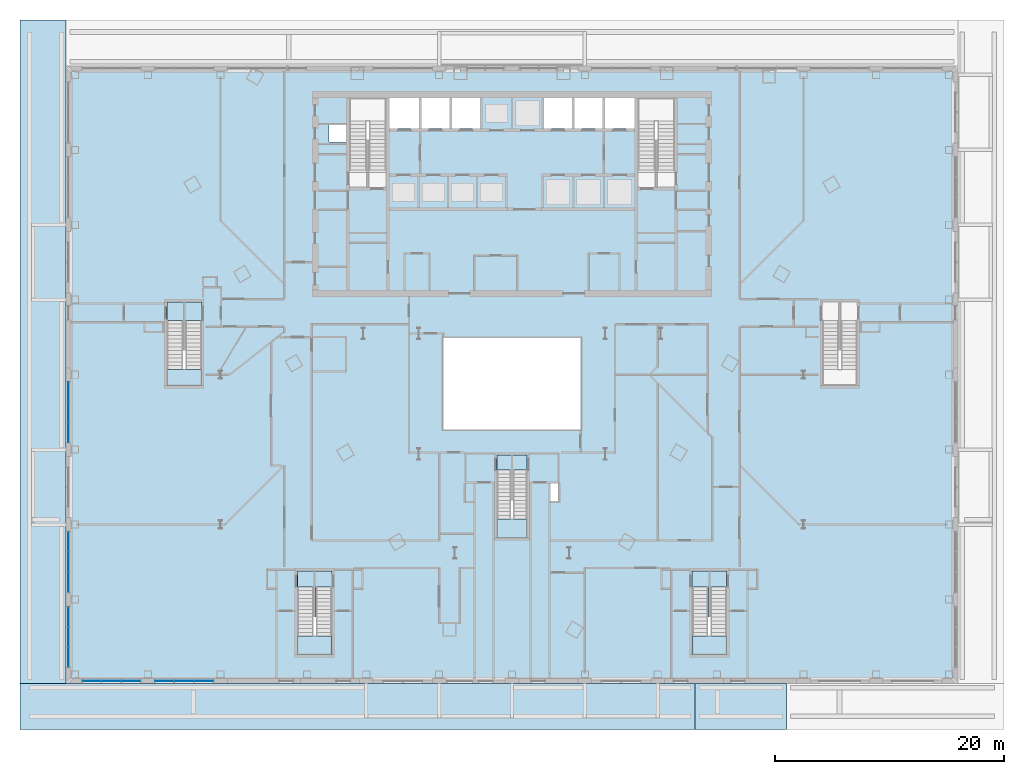
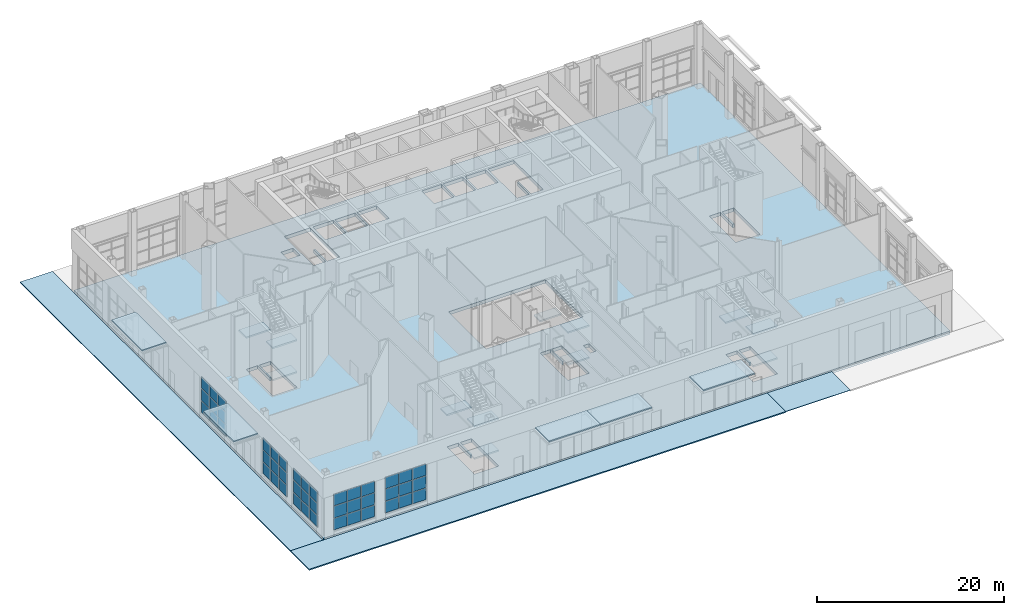
# One storey, part 13 of 34: 45 plates, 21 slabs, 9 elements without a shape of their own.
"""IFC4 building model written with IfcOpenShell, lengths in metres."""

from ifc_helpers import new_model, si_unit, direction, frame, origin, origin_2d, place, context, subcontext, project, spatial, polyline, rectangle, outline, extrude, material, layer, layer_set, type_object, element, aggregate, save


model = new_model("IFC4")

# Units and contexts
model_context = context("Model", 3, precision=1e-05, world=origin(), true_north=direction((0.0, 1.0)))
body_context = subcontext(model_context, "Body", "Model", "MODEL_VIEW")
ifc_project = project(units=[si_unit("LENGTHUNIT", "METRE"), si_unit("AREAUNIT", "SQUARE_METRE"), si_unit("VOLUMEUNIT", "CUBIC_METRE"), si_unit("PLANEANGLEUNIT", "RADIAN"), si_unit("MASSUNIT", "GRAM", prefix="KILO")], contexts=[model_context])

# Site, building, storey
site_placement = place(None, origin())
site = spatial("IfcSite", under=ifc_project, at=site_placement, CompositionType="ELEMENT")
building_placement = place(site_placement, origin())
building = spatial("IfcBuilding", under=site, at=building_placement, Name="Njiva Tower", CompositionType="ELEMENT")
storey_placement = place(building_placement, origin())
storey = spatial("IfcBuildingStorey", under=building, at=storey_placement, Name="L00", CompositionType="ELEMENT", Elevation=0.0)

# Curtain wall, plates
ifc_material_1 = material(Name="Glazed curtain wall", Category="glass")
ifc_layer_1 = layer(ifc_material_1, 0.2)
ifc_layer_set_1 = layer_set([ifc_layer_1], Name="Glazed curtain wall")
curtain_wall_type = type_object("IfcCurtainWallType", Name="CW1 Shopfront glazing", PredefinedType="NOTDEFINED", material=ifc_layer_set_1)
curtain_wall_1_placement = place(storey_placement, origin())
curtain_wall_1 = element("IfcCurtainWall", 1, at=curtain_wall_1_placement, inside=storey, type_object=curtain_wall_type, Name="Shopfront W5", PredefinedType="NOTDEFINED")
ifc_material_2 = material(Name="Clear double glazing", Category="glass")
ifc_layer_2 = layer(ifc_material_2, 0.028)
ifc_layer_set_2 = layer_set([ifc_layer_2], Name="Clear double glazing")
plate_type = type_object("IfcPlateType", Name="CW1-P Shopfront glass panel 28", PredefinedType="CURTAIN_PANEL", material=ifc_layer_set_2)
plate_1_placement = place(storey_placement, frame((-38.775, -8.3079, 0.6649), z_axis=(0.0, 0.0, 1.0), x_axis=(0.0, -1.0, 0.0)))
plate_1 = element("IfcPlate", 2, at=plate_1_placement, type_object=plate_type, Name="CW1-W5 panel 1.1", PredefinedType="CURTAIN_PANEL", context=body_context, shape_type="SweptSolid", body=[
    extrude(rectangle(XDim=1.6858, YDim=0.028, at=origin_2d()), origin(), (0.0, 0.0, 1.0), 1.5025),
])
plate_2_placement = place(storey_placement, frame((-38.775, -8.3079, 2.2325), z_axis=(0.0, 0.0, 1.0), x_axis=(0.0, -1.0, 0.0)))
plate_2 = element("IfcPlate", 3, at=plate_2_placement, type_object=plate_type, Name="CW1-W5 panel 1.2", PredefinedType="CURTAIN_PANEL", context=body_context, shape_type="SweptSolid", body=[
    extrude(rectangle(XDim=1.6858, YDim=0.028, at=origin_2d()), origin(), (0.0, 0.0, 1.0), 1.535),
])
plate_3_placement = place(storey_placement, frame((-38.775, -8.3079, 3.8326), z_axis=(0.0, 0.0, 1.0), x_axis=(0.0, -1.0, 0.0)))
plate_3 = element("IfcPlate", 4, at=plate_3_placement, type_object=plate_type, Name="CW1-W5 panel 1.3", PredefinedType="CURTAIN_PANEL", context=body_context, shape_type="SweptSolid", body=[
    extrude(rectangle(XDim=1.6858, YDim=0.028, at=origin_2d()), origin(), (0.0, 0.0, 1.0), 1.5025),
])
plate_4_placement = place(storey_placement, frame((-38.775, -10.075, 0.6649), z_axis=(0.0, 0.0, 1.0), x_axis=(0.0, -1.0, 0.0)))
plate_4 = element("IfcPlate", 5, at=plate_4_placement, type_object=plate_type, Name="CW1-W5 panel 2.1", PredefinedType="CURTAIN_PANEL", context=body_context, shape_type="SweptSolid", body=[
    extrude(rectangle(XDim=1.7183, YDim=0.028, at=origin_2d()), origin(), (0.0, 0.0, 1.0), 1.5025),
])
plate_5_placement = place(storey_placement, frame((-38.775, -10.075, 2.2325), z_axis=(0.0, 0.0, 1.0), x_axis=(0.0, -1.0, 0.0)))
plate_5 = element("IfcPlate", 6, at=plate_5_placement, type_object=plate_type, Name="CW1-W5 panel 2.2", PredefinedType="CURTAIN_PANEL", context=body_context, shape_type="SweptSolid", body=[
    extrude(rectangle(XDim=1.7183, YDim=0.028, at=origin_2d()), origin(), (0.0, 0.0, 1.0), 1.535),
])
plate_6_placement = place(storey_placement, frame((-38.775, -10.075, 3.8326), z_axis=(0.0, 0.0, 1.0), x_axis=(0.0, -1.0, 0.0)))
plate_6 = element("IfcPlate", 7, at=plate_6_placement, type_object=plate_type, Name="CW1-W5 panel 2.3", PredefinedType="CURTAIN_PANEL", context=body_context, shape_type="SweptSolid", body=[
    extrude(rectangle(XDim=1.7183, YDim=0.028, at=origin_2d()), origin(), (0.0, 0.0, 1.0), 1.5025),
])
plate_7_placement = place(storey_placement, frame((-38.775, -11.8421, 0.6649), z_axis=(0.0, 0.0, 1.0), x_axis=(0.0, -1.0, 0.0)))
plate_7 = element("IfcPlate", 8, at=plate_7_placement, type_object=plate_type, Name="CW1-W5 panel 3.1", PredefinedType="CURTAIN_PANEL", context=body_context, shape_type="SweptSolid", body=[
    extrude(rectangle(XDim=1.6858, YDim=0.028, at=origin_2d()), origin(), (0.0, 0.0, 1.0), 1.5025),
])
plate_8_placement = place(storey_placement, frame((-38.775, -11.8421, 2.2325), z_axis=(0.0, 0.0, 1.0), x_axis=(0.0, -1.0, 0.0)))
plate_8 = element("IfcPlate", 9, at=plate_8_placement, type_object=plate_type, Name="CW1-W5 panel 3.2", PredefinedType="CURTAIN_PANEL", context=body_context, shape_type="SweptSolid", body=[
    extrude(rectangle(XDim=1.6858, YDim=0.028, at=origin_2d()), origin(), (0.0, 0.0, 1.0), 1.535),
])
plate_9_placement = place(storey_placement, frame((-38.775, -11.8421, 3.8326), z_axis=(0.0, 0.0, 1.0), x_axis=(0.0, -1.0, 0.0)))
plate_9 = element("IfcPlate", 10, at=plate_9_placement, type_object=plate_type, Name="CW1-W5 panel 3.3", PredefinedType="CURTAIN_PANEL", context=body_context, shape_type="SweptSolid", body=[
    extrude(rectangle(XDim=1.6858, YDim=0.028, at=origin_2d()), origin(), (0.0, 0.0, 1.0), 1.5025),
])
aggregate(curtain_wall_1, [plate_1, plate_2, plate_3, plate_4, plate_5, plate_6, plate_7, plate_8, plate_9])

curtain_wall_2_placement = place(storey_placement, origin())
curtain_wall_2 = element("IfcCurtainWall", 11, at=curtain_wall_2_placement, inside=storey, type_object=curtain_wall_type, Name="Shopfront W7", PredefinedType="NOTDEFINED")
plate_10_placement = place(storey_placement, frame((-38.775, -21.4079, 0.6649), z_axis=(0.0, 0.0, 1.0), x_axis=(0.0, -1.0, 0.0)))
plate_10 = element("IfcPlate", 12, at=plate_10_placement, type_object=plate_type, Name="CW1-W7 panel 1.1", PredefinedType="CURTAIN_PANEL", context=body_context, shape_type="SweptSolid", body=[
    extrude(rectangle(XDim=1.6858, YDim=0.028, at=origin_2d()), origin(), (0.0, 0.0, 1.0), 1.5025),
])
plate_11_placement = place(storey_placement, frame((-38.775, -21.4079, 2.2325), z_axis=(0.0, 0.0, 1.0), x_axis=(0.0, -1.0, 0.0)))
plate_11 = element("IfcPlate", 13, at=plate_11_placement, type_object=plate_type, Name="CW1-W7 panel 1.2", PredefinedType="CURTAIN_PANEL", context=body_context, shape_type="SweptSolid", body=[
    extrude(rectangle(XDim=1.6858, YDim=0.028, at=origin_2d()), origin(), (0.0, 0.0, 1.0), 1.535),
])
plate_12_placement = place(storey_placement, frame((-38.775, -21.4079, 3.8326), z_axis=(0.0, 0.0, 1.0), x_axis=(0.0, -1.0, 0.0)))
plate_12 = element("IfcPlate", 14, at=plate_12_placement, type_object=plate_type, Name="CW1-W7 panel 1.3", PredefinedType="CURTAIN_PANEL", context=body_context, shape_type="SweptSolid", body=[
    extrude(rectangle(XDim=1.6858, YDim=0.028, at=origin_2d()), origin(), (0.0, 0.0, 1.0), 1.5025),
])
plate_13_placement = place(storey_placement, frame((-38.775, -23.175, 0.6649), z_axis=(0.0, 0.0, 1.0), x_axis=(0.0, -1.0, 0.0)))
plate_13 = element("IfcPlate", 15, at=plate_13_placement, type_object=plate_type, Name="CW1-W7 panel 2.1", PredefinedType="CURTAIN_PANEL", context=body_context, shape_type="SweptSolid", body=[
    extrude(rectangle(XDim=1.7183, YDim=0.028, at=origin_2d()), origin(), (0.0, 0.0, 1.0), 1.5025),
])
plate_14_placement = place(storey_placement, frame((-38.775, -23.175, 2.2325), z_axis=(0.0, 0.0, 1.0), x_axis=(0.0, -1.0, 0.0)))
plate_14 = element("IfcPlate", 16, at=plate_14_placement, type_object=plate_type, Name="CW1-W7 panel 2.2", PredefinedType="CURTAIN_PANEL", context=body_context, shape_type="SweptSolid", body=[
    extrude(rectangle(XDim=1.7183, YDim=0.028, at=origin_2d()), origin(), (0.0, 0.0, 1.0), 1.535),
])
plate_15_placement = place(storey_placement, frame((-38.775, -23.175, 3.8326), z_axis=(0.0, 0.0, 1.0), x_axis=(0.0, -1.0, 0.0)))
plate_15 = element("IfcPlate", 17, at=plate_15_placement, type_object=plate_type, Name="CW1-W7 panel 2.3", PredefinedType="CURTAIN_PANEL", context=body_context, shape_type="SweptSolid", body=[
    extrude(rectangle(XDim=1.7183, YDim=0.028, at=origin_2d()), origin(), (0.0, 0.0, 1.0), 1.5025),
])
plate_16_placement = place(storey_placement, frame((-38.775, -24.9421, 0.6649), z_axis=(0.0, 0.0, 1.0), x_axis=(0.0, -1.0, 0.0)))
plate_16 = element("IfcPlate", 18, at=plate_16_placement, type_object=plate_type, Name="CW1-W7 panel 3.1", PredefinedType="CURTAIN_PANEL", context=body_context, shape_type="SweptSolid", body=[
    extrude(rectangle(XDim=1.6858, YDim=0.028, at=origin_2d()), origin(), (0.0, 0.0, 1.0), 1.5025),
])
plate_17_placement = place(storey_placement, frame((-38.775, -24.9421, 2.2325), z_axis=(0.0, 0.0, 1.0), x_axis=(0.0, -1.0, 0.0)))
plate_17 = element("IfcPlate", 19, at=plate_17_placement, type_object=plate_type, Name="CW1-W7 panel 3.2", PredefinedType="CURTAIN_PANEL", context=body_context, shape_type="SweptSolid", body=[
    extrude(rectangle(XDim=1.6858, YDim=0.028, at=origin_2d()), origin(), (0.0, 0.0, 1.0), 1.535),
])
plate_18_placement = place(storey_placement, frame((-38.775, -24.9421, 3.8326), z_axis=(0.0, 0.0, 1.0), x_axis=(0.0, -1.0, 0.0)))
plate_18 = element("IfcPlate", 20, at=plate_18_placement, type_object=plate_type, Name="CW1-W7 panel 3.3", PredefinedType="CURTAIN_PANEL", context=body_context, shape_type="SweptSolid", body=[
    extrude(rectangle(XDim=1.6858, YDim=0.028, at=origin_2d()), origin(), (0.0, 0.0, 1.0), 1.5025),
])
aggregate(curtain_wall_2, [plate_10, plate_11, plate_12, plate_13, plate_14, plate_15, plate_16, plate_17, plate_18])

curtain_wall_3_placement = place(storey_placement, origin())
curtain_wall_3 = element("IfcCurtainWall", 21, at=curtain_wall_3_placement, inside=storey, type_object=curtain_wall_type, Name="Shopfront W8", PredefinedType="NOTDEFINED")
plate_19_placement = place(storey_placement, frame((-38.775, -27.9579, 0.6649), z_axis=(0.0, 0.0, 1.0), x_axis=(0.0, -1.0, 0.0)))
plate_19 = element("IfcPlate", 22, at=plate_19_placement, type_object=plate_type, Name="CW1-W8 panel 1.1", PredefinedType="CURTAIN_PANEL", context=body_context, shape_type="SweptSolid", body=[
    extrude(rectangle(XDim=1.6858, YDim=0.028, at=origin_2d()), origin(), (0.0, 0.0, 1.0), 1.5025),
])
plate_20_placement = place(storey_placement, frame((-38.775, -27.9579, 2.2325), z_axis=(0.0, 0.0, 1.0), x_axis=(0.0, -1.0, 0.0)))
plate_20 = element("IfcPlate", 23, at=plate_20_placement, type_object=plate_type, Name="CW1-W8 panel 1.2", PredefinedType="CURTAIN_PANEL", context=body_context, shape_type="SweptSolid", body=[
    extrude(rectangle(XDim=1.6858, YDim=0.028, at=origin_2d()), origin(), (0.0, 0.0, 1.0), 1.535),
])
plate_21_placement = place(storey_placement, frame((-38.775, -27.9579, 3.8326), z_axis=(0.0, 0.0, 1.0), x_axis=(0.0, -1.0, 0.0)))
plate_21 = element("IfcPlate", 24, at=plate_21_placement, type_object=plate_type, Name="CW1-W8 panel 1.3", PredefinedType="CURTAIN_PANEL", context=body_context, shape_type="SweptSolid", body=[
    extrude(rectangle(XDim=1.6858, YDim=0.028, at=origin_2d()), origin(), (0.0, 0.0, 1.0), 1.5025),
])
plate_22_placement = place(storey_placement, frame((-38.775, -29.725, 0.6649), z_axis=(0.0, 0.0, 1.0), x_axis=(0.0, -1.0, 0.0)))
plate_22 = element("IfcPlate", 25, at=plate_22_placement, type_object=plate_type, Name="CW1-W8 panel 2.1", PredefinedType="CURTAIN_PANEL", context=body_context, shape_type="SweptSolid", body=[
    extrude(rectangle(XDim=1.7183, YDim=0.028, at=origin_2d()), origin(), (0.0, 0.0, 1.0), 1.5025),
])
plate_23_placement = place(storey_placement, frame((-38.775, -29.725, 2.2325), z_axis=(0.0, 0.0, 1.0), x_axis=(0.0, -1.0, 0.0)))
plate_23 = element("IfcPlate", 26, at=plate_23_placement, type_object=plate_type, Name="CW1-W8 panel 2.2", PredefinedType="CURTAIN_PANEL", context=body_context, shape_type="SweptSolid", body=[
    extrude(rectangle(XDim=1.7183, YDim=0.028, at=origin_2d()), origin(), (0.0, 0.0, 1.0), 1.535),
])
plate_24_placement = place(storey_placement, frame((-38.775, -29.725, 3.8326), z_axis=(0.0, 0.0, 1.0), x_axis=(0.0, -1.0, 0.0)))
plate_24 = element("IfcPlate", 27, at=plate_24_placement, type_object=plate_type, Name="CW1-W8 panel 2.3", PredefinedType="CURTAIN_PANEL", context=body_context, shape_type="SweptSolid", body=[
    extrude(rectangle(XDim=1.7183, YDim=0.028, at=origin_2d()), origin(), (0.0, 0.0, 1.0), 1.5025),
])
plate_25_placement = place(storey_placement, frame((-38.775, -31.4921, 0.6649), z_axis=(0.0, 0.0, 1.0), x_axis=(0.0, -1.0, 0.0)))
plate_25 = element("IfcPlate", 28, at=plate_25_placement, type_object=plate_type, Name="CW1-W8 panel 3.1", PredefinedType="CURTAIN_PANEL", context=body_context, shape_type="SweptSolid", body=[
    extrude(rectangle(XDim=1.6858, YDim=0.028, at=origin_2d()), origin(), (0.0, 0.0, 1.0), 1.5025),
])
plate_26_placement = place(storey_placement, frame((-38.775, -31.4921, 2.2325), z_axis=(0.0, 0.0, 1.0), x_axis=(0.0, -1.0, 0.0)))
plate_26 = element("IfcPlate", 29, at=plate_26_placement, type_object=plate_type, Name="CW1-W8 panel 3.2", PredefinedType="CURTAIN_PANEL", context=body_context, shape_type="SweptSolid", body=[
    extrude(rectangle(XDim=1.6858, YDim=0.028, at=origin_2d()), origin(), (0.0, 0.0, 1.0), 1.535),
])
plate_27_placement = place(storey_placement, frame((-38.775, -31.4921, 3.8326), z_axis=(0.0, 0.0, 1.0), x_axis=(0.0, -1.0, 0.0)))
plate_27 = element("IfcPlate", 30, at=plate_27_placement, type_object=plate_type, Name="CW1-W8 panel 3.3", PredefinedType="CURTAIN_PANEL", context=body_context, shape_type="SweptSolid", body=[
    extrude(rectangle(XDim=1.6858, YDim=0.028, at=origin_2d()), origin(), (0.0, 0.0, 1.0), 1.5025),
])
aggregate(curtain_wall_3, [plate_19, plate_20, plate_21, plate_22, plate_23, plate_24, plate_25, plate_26, plate_27])

curtain_wall_4_placement = place(storey_placement, origin())
curtain_wall_4 = element("IfcCurtainWall", 31, at=curtain_wall_4_placement, inside=storey, type_object=curtain_wall_type, Name="Shopfront S1", PredefinedType="NOTDEFINED")
plate_28_placement = place(storey_placement, frame((-36.7226, -33.575, 0.6649), z_axis=(0.0, 0.0, 1.0), x_axis=(1.0, 0.0, 0.0)))
plate_28 = element("IfcPlate", 32, at=plate_28_placement, type_object=plate_type, Name="CW1-S1 panel 1.1", PredefinedType="CURTAIN_PANEL", context=body_context, shape_type="SweptSolid", body=[
    extrude(rectangle(XDim=1.6247, YDim=0.028, at=origin_2d()), origin(), (0.0, 0.0, 1.0), 1.5025),
])
plate_29_placement = place(storey_placement, frame((-36.7226, -33.575, 2.2325), z_axis=(0.0, 0.0, 1.0), x_axis=(1.0, 0.0, 0.0)))
plate_29 = element("IfcPlate", 33, at=plate_29_placement, type_object=plate_type, Name="CW1-S1 panel 1.2", PredefinedType="CURTAIN_PANEL", context=body_context, shape_type="SweptSolid", body=[
    extrude(rectangle(XDim=1.6247, YDim=0.028, at=origin_2d()), origin(), (0.0, 0.0, 1.0), 1.535),
])
plate_30_placement = place(storey_placement, frame((-36.7226, -33.575, 3.8326), z_axis=(0.0, 0.0, 1.0), x_axis=(1.0, 0.0, 0.0)))
plate_30 = element("IfcPlate", 34, at=plate_30_placement, type_object=plate_type, Name="CW1-S1 panel 1.3", PredefinedType="CURTAIN_PANEL", context=body_context, shape_type="SweptSolid", body=[
    extrude(rectangle(XDim=1.6247, YDim=0.028, at=origin_2d()), origin(), (0.0, 0.0, 1.0), 1.5025),
])
plate_31_placement = place(storey_placement, frame((-35.0166, -33.575, 0.6649), z_axis=(0.0, 0.0, 1.0), x_axis=(1.0, 0.0, 0.0)))
plate_31 = element("IfcPlate", 35, at=plate_31_placement, type_object=plate_type, Name="CW1-S1 panel 2.1", PredefinedType="CURTAIN_PANEL", context=body_context, shape_type="SweptSolid", body=[
    extrude(rectangle(XDim=1.6572, YDim=0.028, at=origin_2d()), origin(), (0.0, 0.0, 1.0), 1.5025),
])
plate_32_placement = place(storey_placement, frame((-35.0166, -33.575, 2.2325), z_axis=(0.0, 0.0, 1.0), x_axis=(1.0, 0.0, 0.0)))
plate_32 = element("IfcPlate", 36, at=plate_32_placement, type_object=plate_type, Name="CW1-S1 panel 2.2", PredefinedType="CURTAIN_PANEL", context=body_context, shape_type="SweptSolid", body=[
    extrude(rectangle(XDim=1.6572, YDim=0.028, at=origin_2d()), origin(), (0.0, 0.0, 1.0), 1.535),
])
plate_33_placement = place(storey_placement, frame((-35.0166, -33.575, 3.8326), z_axis=(0.0, 0.0, 1.0), x_axis=(1.0, 0.0, 0.0)))
plate_33 = element("IfcPlate", 37, at=plate_33_placement, type_object=plate_type, Name="CW1-S1 panel 2.3", PredefinedType="CURTAIN_PANEL", context=body_context, shape_type="SweptSolid", body=[
    extrude(rectangle(XDim=1.6572, YDim=0.028, at=origin_2d()), origin(), (0.0, 0.0, 1.0), 1.5025),
])
plate_34_placement = place(storey_placement, frame((-33.3107, -33.575, 0.6649), z_axis=(0.0, 0.0, 1.0), x_axis=(1.0, 0.0, 0.0)))
plate_34 = element("IfcPlate", 38, at=plate_34_placement, type_object=plate_type, Name="CW1-S1 panel 3.1", PredefinedType="CURTAIN_PANEL", context=body_context, shape_type="SweptSolid", body=[
    extrude(rectangle(XDim=1.6247, YDim=0.028, at=origin_2d()), origin(), (0.0, 0.0, 1.0), 1.5025),
])
plate_35_placement = place(storey_placement, frame((-33.3107, -33.575, 2.2325), z_axis=(0.0, 0.0, 1.0), x_axis=(1.0, 0.0, 0.0)))
plate_35 = element("IfcPlate", 39, at=plate_35_placement, type_object=plate_type, Name="CW1-S1 panel 3.2", PredefinedType="CURTAIN_PANEL", context=body_context, shape_type="SweptSolid", body=[
    extrude(rectangle(XDim=1.6247, YDim=0.028, at=origin_2d()), origin(), (0.0, 0.0, 1.0), 1.535),
])
plate_36_placement = place(storey_placement, frame((-33.3107, -33.575, 3.8326), z_axis=(0.0, 0.0, 1.0), x_axis=(1.0, 0.0, 0.0)))
plate_36 = element("IfcPlate", 40, at=plate_36_placement, type_object=plate_type, Name="CW1-S1 panel 3.3", PredefinedType="CURTAIN_PANEL", context=body_context, shape_type="SweptSolid", body=[
    extrude(rectangle(XDim=1.6247, YDim=0.028, at=origin_2d()), origin(), (0.0, 0.0, 1.0), 1.5025),
])
aggregate(curtain_wall_4, [plate_28, plate_29, plate_30, plate_31, plate_32, plate_33, plate_34, plate_35, plate_36])

curtain_wall_5_placement = place(storey_placement, origin())
curtain_wall_5 = element("IfcCurtainWall", 41, at=curtain_wall_5_placement, inside=storey, type_object=curtain_wall_type, Name="Shopfront S2", PredefinedType="NOTDEFINED")
plate_37_placement = place(storey_placement, frame((-30.356, -33.575, 0.6649), z_axis=(0.0, 0.0, 1.0), x_axis=(1.0, 0.0, 0.0)))
plate_37 = element("IfcPlate", 42, at=plate_37_placement, type_object=plate_type, Name="CW1-S2 panel 1.1", PredefinedType="CURTAIN_PANEL", context=body_context, shape_type="SweptSolid", body=[
    extrude(rectangle(XDim=1.6247, YDim=0.028, at=origin_2d()), origin(), (0.0, 0.0, 1.0), 1.5025),
])
plate_38_placement = place(storey_placement, frame((-30.356, -33.575, 2.2325), z_axis=(0.0, 0.0, 1.0), x_axis=(1.0, 0.0, 0.0)))
plate_38 = element("IfcPlate", 43, at=plate_38_placement, type_object=plate_type, Name="CW1-S2 panel 1.2", PredefinedType="CURTAIN_PANEL", context=body_context, shape_type="SweptSolid", body=[
    extrude(rectangle(XDim=1.6247, YDim=0.028, at=origin_2d()), origin(), (0.0, 0.0, 1.0), 1.535),
])
plate_39_placement = place(storey_placement, frame((-30.356, -33.575, 3.8326), z_axis=(0.0, 0.0, 1.0), x_axis=(1.0, 0.0, 0.0)))
plate_39 = element("IfcPlate", 44, at=plate_39_placement, type_object=plate_type, Name="CW1-S2 panel 1.3", PredefinedType="CURTAIN_PANEL", context=body_context, shape_type="SweptSolid", body=[
    extrude(rectangle(XDim=1.6247, YDim=0.028, at=origin_2d()), origin(), (0.0, 0.0, 1.0), 1.5025),
])
plate_40_placement = place(storey_placement, frame((-28.65, -33.575, 0.6649), z_axis=(0.0, 0.0, 1.0), x_axis=(1.0, 0.0, 0.0)))
plate_40 = element("IfcPlate", 45, at=plate_40_placement, type_object=plate_type, Name="CW1-S2 panel 2.1", PredefinedType="CURTAIN_PANEL", context=body_context, shape_type="SweptSolid", body=[
    extrude(rectangle(XDim=1.6572, YDim=0.028, at=origin_2d()), origin(), (0.0, 0.0, 1.0), 1.5025),
])
plate_41_placement = place(storey_placement, frame((-28.65, -33.575, 2.2325), z_axis=(0.0, 0.0, 1.0), x_axis=(1.0, 0.0, 0.0)))
plate_41 = element("IfcPlate", 46, at=plate_41_placement, type_object=plate_type, Name="CW1-S2 panel 2.2", PredefinedType="CURTAIN_PANEL", context=body_context, shape_type="SweptSolid", body=[
    extrude(rectangle(XDim=1.6572, YDim=0.028, at=origin_2d()), origin(), (0.0, 0.0, 1.0), 1.535),
])
plate_42_placement = place(storey_placement, frame((-28.65, -33.575, 3.8326), z_axis=(0.0, 0.0, 1.0), x_axis=(1.0, 0.0, 0.0)))
plate_42 = element("IfcPlate", 47, at=plate_42_placement, type_object=plate_type, Name="CW1-S2 panel 2.3", PredefinedType="CURTAIN_PANEL", context=body_context, shape_type="SweptSolid", body=[
    extrude(rectangle(XDim=1.6572, YDim=0.028, at=origin_2d()), origin(), (0.0, 0.0, 1.0), 1.5025),
])
plate_43_placement = place(storey_placement, frame((-26.944, -33.575, 0.6649), z_axis=(0.0, 0.0, 1.0), x_axis=(1.0, 0.0, 0.0)))
plate_43 = element("IfcPlate", 48, at=plate_43_placement, type_object=plate_type, Name="CW1-S2 panel 3.1", PredefinedType="CURTAIN_PANEL", context=body_context, shape_type="SweptSolid", body=[
    extrude(rectangle(XDim=1.6247, YDim=0.028, at=origin_2d()), origin(), (0.0, 0.0, 1.0), 1.5025),
])
plate_44_placement = place(storey_placement, frame((-26.944, -33.575, 2.2325), z_axis=(0.0, 0.0, 1.0), x_axis=(1.0, 0.0, 0.0)))
plate_44 = element("IfcPlate", 49, at=plate_44_placement, type_object=plate_type, Name="CW1-S2 panel 3.2", PredefinedType="CURTAIN_PANEL", context=body_context, shape_type="SweptSolid", body=[
    extrude(rectangle(XDim=1.6247, YDim=0.028, at=origin_2d()), origin(), (0.0, 0.0, 1.0), 1.535),
])
plate_45_placement = place(storey_placement, frame((-26.944, -33.575, 3.8326), z_axis=(0.0, 0.0, 1.0), x_axis=(1.0, 0.0, 0.0)))
plate_45 = element("IfcPlate", 50, at=plate_45_placement, type_object=plate_type, Name="CW1-S2 panel 3.3", PredefinedType="CURTAIN_PANEL", context=body_context, shape_type="SweptSolid", body=[
    extrude(rectangle(XDim=1.6247, YDim=0.028, at=origin_2d()), origin(), (0.0, 0.0, 1.0), 1.5025),
])
aggregate(curtain_wall_5, [plate_37, plate_38, plate_39, plate_40, plate_41, plate_42, plate_43, plate_44, plate_45])

# Stair, slabs
ifc_material_3 = material(Name="Concrete C40/50", Category="concrete")
stair_type_1 = type_object("IfcStairType", Name="ST1 Exit stair 1250", PredefinedType="HALF_TURN_STAIR", material=ifc_material_3)
stair_1_placement = place(storey_placement, origin())
stair_1 = element("IfcStair", 51, at=stair_1_placement, inside=storey, type_object=stair_type_1, Name="Stair C", PredefinedType="DOUBLE_RETURN_STAIR")
ifc_layer_3 = layer(ifc_material_3, 0.2)
ifc_layer_set_3 = layer_set([ifc_layer_3], Name="Concrete C40/50")
slab_type_1 = type_object("IfcSlabType", Name="FL9 Stair landing 200", PredefinedType="LANDING", material=ifc_layer_set_3)
slab_1_placement = place(storey_placement, frame((0.0, 0.0, 1.9)))
slab_1 = element("IfcSlab", 52, at=slab_1_placement, type_object=slab_type_1, Name="ST-C landing 1", PredefinedType="LANDING", context=body_context, shape_type="SweptSolid", body=[
    extrude(outline(polyline([(-1.331, -21.075), (1.331, -21.075), (1.331, -19.425), (-1.331, -19.425), (-1.331, -21.075)])), origin(), (0.0, 0.0, 1.0), 0.2),
])
slab_2_placement = place(storey_placement, frame((0.0, 0.0, 4.0)))
slab_2 = element("IfcSlab", 53, at=slab_2_placement, type_object=slab_type_1, Name="ST-C landing 2", PredefinedType="LANDING", context=body_context, shape_type="SweptSolid", body=[
    extrude(outline(polyline([(-1.331, -15.135), (1.331, -15.135), (1.331, -13.825), (-1.331, -13.825), (-1.331, -15.135)])), origin(), (0.0, 0.0, 1.0), 0.2),
])
slab_3_placement = place(storey_placement, frame((0.0, 0.0, 6.1)))
slab_3 = element("IfcSlab", 54, at=slab_3_placement, type_object=slab_type_1, Name="ST-C landing 3", PredefinedType="LANDING", context=body_context, shape_type="SweptSolid", body=[
    extrude(outline(polyline([(-1.331, -21.075), (1.331, -21.075), (1.331, -19.425), (-1.331, -19.425), (-1.331, -21.075)])), origin(), (0.0, 0.0, 1.0), 0.2),
])
aggregate(stair_1, [slab_1, slab_2, slab_3])

stair_type_2 = type_object("IfcStairType", Name="ST2 Exit stair 1400", PredefinedType="HALF_TURN_STAIR", material=ifc_material_3)
stair_2_placement = place(storey_placement, origin())
stair_2 = element("IfcStair", 55, at=stair_2_placement, inside=storey, type_object=stair_type_2, Name="Stair D", PredefinedType="DOUBLE_RETURN_STAIR")
slab_4_placement = place(storey_placement, frame((0.0, 0.0, 1.9)))
slab_4 = element("IfcSlab", 56, at=slab_4_placement, type_object=slab_type_1, Name="ST-D landing 1", PredefinedType="LANDING", context=body_context, shape_type="SweptSolid", body=[
    extrude(outline(polyline([(-18.756, -31.25), (-15.744, -31.25), (-15.744, -29.64), (-18.756, -29.64), (-18.756, -31.25)])), origin(), (0.0, 0.0, 1.0), 0.2),
])
slab_5_placement = place(storey_placement, frame((0.0, 0.0, 4.0)))
slab_5 = element("IfcSlab", 57, at=slab_5_placement, type_object=slab_type_1, Name="ST-D landing 2", PredefinedType="LANDING", context=body_context, shape_type="SweptSolid", body=[
    extrude(outline(polyline([(-18.756, -25.35), (-15.744, -25.35), (-15.744, -23.95), (-18.756, -23.95), (-18.756, -25.35)])), origin(), (0.0, 0.0, 1.0), 0.2),
])
slab_6_placement = place(storey_placement, frame((0.0, 0.0, 6.1)))
slab_6 = element("IfcSlab", 58, at=slab_6_placement, type_object=slab_type_1, Name="ST-D landing 3", PredefinedType="LANDING", context=body_context, shape_type="SweptSolid", body=[
    extrude(outline(polyline([(-18.756, -31.25), (-15.744, -31.25), (-15.744, -29.64), (-18.756, -29.64), (-18.756, -31.25)])), origin(), (0.0, 0.0, 1.0), 0.2),
])
aggregate(stair_2, [slab_4, slab_5, slab_6])

stair_3_placement = place(storey_placement, origin())
stair_3 = element("IfcStair", 59, at=stair_3_placement, inside=storey, type_object=stair_type_2, Name="Stair E", PredefinedType="DOUBLE_RETURN_STAIR")
slab_7_placement = place(storey_placement, frame((0.0, 0.0, 1.9)))
slab_7 = element("IfcSlab", 60, at=slab_7_placement, type_object=slab_type_1, Name="ST-E landing 1", PredefinedType="LANDING", context=body_context, shape_type="SweptSolid", body=[
    extrude(outline(polyline([(15.744, -31.25), (18.756, -31.25), (18.756, -29.64), (15.744, -29.64), (15.744, -31.25)])), origin(), (0.0, 0.0, 1.0), 0.2),
])
slab_8_placement = place(storey_placement, frame((0.0, 0.0, 4.0)))
slab_8 = element("IfcSlab", 61, at=slab_8_placement, type_object=slab_type_1, Name="ST-E landing 2", PredefinedType="LANDING", context=body_context, shape_type="SweptSolid", body=[
    extrude(outline(polyline([(15.744, -25.35), (18.756, -25.35), (18.756, -23.95), (15.744, -23.95), (15.744, -25.35)])), origin(), (0.0, 0.0, 1.0), 0.2),
])
slab_9_placement = place(storey_placement, frame((0.0, 0.0, 6.1)))
slab_9 = element("IfcSlab", 62, at=slab_9_placement, type_object=slab_type_1, Name="ST-E landing 3", PredefinedType="LANDING", context=body_context, shape_type="SweptSolid", body=[
    extrude(outline(polyline([(15.744, -31.25), (18.756, -31.25), (18.756, -29.64), (15.744, -29.64), (15.744, -31.25)])), origin(), (0.0, 0.0, 1.0), 0.2),
])
aggregate(stair_3, [slab_7, slab_8, slab_9])

stair_4_placement = place(storey_placement, origin())
stair_4 = element("IfcStair", 63, at=stair_4_placement, inside=storey, type_object=stair_type_2, Name="Stair F", PredefinedType="DOUBLE_RETURN_STAIR")
slab_10_placement = place(storey_placement, frame((0.0, 0.0, 1.9)))
slab_10 = element("IfcSlab", 64, at=slab_10_placement, type_object=slab_type_1, Name="ST-F landing 1", PredefinedType="LANDING", context=body_context, shape_type="SweptSolid", body=[
    extrude(outline(polyline([(-30.156, -7.75), (-27.144, -7.75), (-27.144, -6.34), (-30.156, -6.34), (-30.156, -7.75)])), origin(), (0.0, 0.0, 1.0), 0.2),
])
slab_11_placement = place(storey_placement, frame((0.0, 0.0, 4.0)))
slab_11 = element("IfcSlab", 65, at=slab_11_placement, type_object=slab_type_1, Name="ST-F landing 2", PredefinedType="LANDING", context=body_context, shape_type="SweptSolid", body=[
    extrude(outline(polyline([(-30.156, -2.05), (-27.144, -2.05), (-27.144, -0.45), (-30.156, -0.45), (-30.156, -2.05)])), origin(), (0.0, 0.0, 1.0), 0.2),
])
slab_12_placement = place(storey_placement, frame((0.0, 0.0, 6.1)))
slab_12 = element("IfcSlab", 66, at=slab_12_placement, type_object=slab_type_1, Name="ST-F landing 3", PredefinedType="LANDING", context=body_context, shape_type="SweptSolid", body=[
    extrude(outline(polyline([(-30.156, -7.75), (-27.144, -7.75), (-27.144, -6.34), (-30.156, -6.34), (-30.156, -7.75)])), origin(), (0.0, 0.0, 1.0), 0.2),
])
aggregate(stair_4, [slab_10, slab_11, slab_12])

# Slabs
ifc_layer_4 = layer(ifc_material_3, 0.45)
ifc_layer_set_4 = layer_set([ifc_layer_4], Name="Concrete C40/50")
slab_type_2 = type_object("IfcSlabType", Name="SL11 Concrete flat plate 450", PredefinedType="FLOOR", material=ifc_layer_set_4)
slab_13_placement = place(storey_placement, frame((0.0, 0.0, -0.45)))
element("IfcSlab", 67, at=slab_13_placement, inside=storey, type_object=slab_type_2, Name="Floor slab L00", PredefinedType="FLOOR", context=body_context, shape_type="SweptSolid", body=[
    extrude(outline(polyline([(-38.775, -33.575), (-38.775, 19.975), (38.775, 19.975), (38.775, -33.575), (-38.775, -33.575)]), holes=[polyline([(28.55, -4.67), (28.55, -2.08), (27.144, -2.08), (27.144, -4.67), (27.144, -7.75), (28.55, -7.75), (28.75, -7.75), (30.156, -7.75), (30.156, -4.67), (30.156, -2.08), (28.75, -2.08), (28.75, -4.67), (28.55, -4.67)]), polyline([(17.15, -27.97), (17.15, -25.38), (15.744, -25.38), (15.744, -27.97), (15.744, -31.25), (17.15, -31.25), (17.35, -31.25), (18.756, -31.25), (18.756, -27.97), (18.756, -25.38), (17.35, -25.38), (17.35, -27.97), (17.15, -27.97)]), polyline([(12.5, 17.4), (10.994, 17.4), (10.994, 13.72), (10.994, 11.13), (12.5, 11.13), (12.5, 13.72), (12.7, 13.72), (12.7, 11.13), (14.206, 11.13), (14.206, 13.72), (14.206, 17.4), (12.7, 17.4), (12.5, 17.4)]), polyline([(8.125, 14.7), (10.7, 14.7), (10.7, 17.4), (8.125, 17.4), (8.125, 14.7)]), polyline([(5.45, 14.7), (7.925, 14.7), (7.925, 17.4), (5.45, 17.4), (5.45, 14.7)]), polyline([(6.0, -11.6), (6.0, -3.6), (-6.0, -3.6), (-6.0, -11.6), (6.0, -11.6)]), polyline([(2.775, 14.7), (5.25, 14.7), (5.25, 17.4), (2.775, 17.4), (2.775, 14.7)]), polyline([(3.35, -17.85), (4.05, -17.85), (4.05, -16.3), (3.35, -16.3), (3.35, -17.85)]), polyline([(-0.075, -17.755), (-0.075, -15.165), (-1.331, -15.165), (-1.331, -17.755), (-1.331, -21.075), (-0.075, -21.075), (0.075, -21.075), (1.331, -21.075), (1.331, -17.755), (1.331, -15.165), (0.075, -15.165), (0.075, -17.755), (-0.075, -17.755)]), polyline([(-5.25, 14.7), (-2.775, 14.7), (-2.775, 17.4), (-5.25, 17.4), (-5.25, 14.7)]), polyline([(-7.925, 14.7), (-5.45, 14.7), (-5.45, 17.4), (-7.925, 17.4), (-7.925, 14.7)]), polyline([(-10.7, 14.7), (-8.125, 14.7), (-8.125, 17.4), (-10.7, 17.4), (-10.7, 14.7)]), polyline([(-12.7, 17.4), (-14.206, 17.4), (-14.206, 13.72), (-14.206, 11.13), (-12.7, 11.13), (-12.7, 13.72), (-12.5, 13.72), (-12.5, 11.13), (-10.994, 11.13), (-10.994, 13.72), (-10.994, 17.4), (-12.5, 17.4), (-12.7, 17.4)]), polyline([(-14.5, 15.025), (-16.0, 15.025), (-16.0, 13.525), (-14.5, 13.525), (-14.5, 15.025)]), polyline([(-17.35, -27.97), (-17.35, -25.38), (-18.756, -25.38), (-18.756, -27.97), (-18.756, -31.25), (-17.35, -31.25), (-17.15, -31.25), (-15.744, -31.25), (-15.744, -27.97), (-15.744, -25.38), (-17.15, -25.38), (-17.15, -27.97), (-17.35, -27.97)]), polyline([(-28.75, -4.67), (-28.75, -2.08), (-30.156, -2.08), (-30.156, -4.67), (-30.156, -7.75), (-28.75, -7.75), (-28.55, -7.75), (-27.144, -7.75), (-27.144, -4.67), (-27.144, -2.08), (-28.55, -2.08), (-28.55, -4.67), (-28.75, -4.67)])]), origin(), (0.0, 0.0, 1.0), 0.45),
])
ifc_material_4 = material(Name="Granite paving", Category="masonry")
ifc_layer_5 = layer(ifc_material_4, 0.15)
ifc_layer_set_5 = layer_set([ifc_layer_5], Name="Granite paving")
slab_type_3 = type_object("IfcSlabType", Name="SL91 Forecourt paving 150", PredefinedType="USERDEFINED", material=ifc_layer_set_5)
slab_14_placement = place(storey_placement, frame((0.0, 0.0, -0.15)))
element("IfcSlab", 68, at=slab_14_placement, inside=storey, type_object=slab_type_3, Name="Station forecourt paving", ObjectType="PAVING", PredefinedType="USERDEFINED", context=body_context, shape_type="SweptSolid", body=[
    extrude(outline(polyline([(16.0, -37.8), (16.0, -33.8), (-43.0, -33.8), (-43.0, -37.8), (16.0, -37.8)])), origin(), (0.0, 0.0, 1.0), 0.15),
])
ifc_material_5 = material(Name="Steel S355 plate and glass", Category="steel")
ifc_layer_6 = layer(ifc_material_5, 0.15)
ifc_layer_set_6 = layer_set([ifc_layer_6], Name="Steel S355 plate and glass")
slab_type_4 = type_object("IfcSlabType", Name="SL92 Canopy deck 150", PredefinedType="ROOF", material=ifc_layer_set_6)
slab_15_placement = place(storey_placement, frame((0.0, 0.0, 5.4)))
element("IfcSlab", 69, at=slab_15_placement, inside=storey, type_object=slab_type_4, Name="Entrance canopy", PredefinedType="ROOF", context=body_context, shape_type="SweptSolid", body=[
    extrude(outline(polyline([(-39.0, 6.3), (-39.0, -0.25), (-42.0, -0.25), (-42.0, 6.3), (-39.0, 6.3)])), origin(), (0.0, 0.0, 1.0), 0.15),
])
slab_16_placement = place(storey_placement, frame((0.0, 0.0, 5.4)))
element("IfcSlab", 70, at=slab_16_placement, inside=storey, type_object=slab_type_4, Name="Entrance canopy", PredefinedType="ROOF", context=body_context, shape_type="SweptSolid", body=[
    extrude(outline(polyline([(-39.0, -13.35), (-39.0, -19.9), (-42.0, -19.9), (-42.0, -13.35), (-39.0, -13.35)])), origin(), (0.0, 0.0, 1.0), 0.15),
])
slab_17_placement = place(storey_placement, frame((0.0, 0.0, 5.4)))
element("IfcSlab", 71, at=slab_17_placement, inside=storey, type_object=slab_type_4, Name="Entrance canopy", PredefinedType="ROOF", context=body_context, shape_type="SweptSolid", body=[
    extrude(outline(polyline([(-12.7333, -33.8), (-6.3667, -33.8), (-6.3667, -36.8), (-12.7333, -36.8), (-12.7333, -33.8)])), origin(), (0.0, 0.0, 1.0), 0.15),
])
slab_18_placement = place(storey_placement, frame((0.0, 0.0, 5.4)))
element("IfcSlab", 72, at=slab_18_placement, inside=storey, type_object=slab_type_4, Name="Entrance canopy", PredefinedType="ROOF", context=body_context, shape_type="SweptSolid", body=[
    extrude(outline(polyline([(-6.3667, -33.8), (0.0, -33.8), (0.0, -36.8), (-6.3667, -36.8), (-6.3667, -33.8)])), origin(), (0.0, 0.0, 1.0), 0.15),
])
slab_19_placement = place(storey_placement, frame((0.0, 0.0, 5.4)))
element("IfcSlab", 73, at=slab_19_placement, inside=storey, type_object=slab_type_4, Name="Entrance canopy", PredefinedType="ROOF", context=body_context, shape_type="SweptSolid", body=[
    extrude(outline(polyline([(6.3667, -33.8), (12.7333, -33.8), (12.7333, -36.8), (6.3667, -36.8), (6.3667, -33.8)])), origin(), (0.0, 0.0, 1.0), 0.15),
])
ifc_material_6 = material(Name="Asphalt paving", Category="asphalt")
ifc_layer_7 = layer(ifc_material_6, 0.12)
ifc_layer_set_7 = layer_set([ifc_layer_7], Name="Asphalt paving")
slab_type_5 = type_object("IfcSlabType", Name="SL95 Taxi lay-by asphalt 120", PredefinedType="USERDEFINED", material=ifc_layer_set_7)
slab_20_placement = place(storey_placement, frame((0.0, 0.0, -0.12)))
element("IfcSlab", 74, at=slab_20_placement, inside=storey, type_object=slab_type_5, Name="Taxi and drop-off lay-by", ObjectType="PAVING", PredefinedType="USERDEFINED", context=body_context, shape_type="SweptSolid", body=[
    extrude(outline(polyline([(-39.0, -33.8), (-39.0, 24.2), (-43.0, 24.2), (-43.0, -33.8), (-39.0, -33.8)])), origin(), (0.0, 0.0, 1.0), 0.12),
])
ifc_material_7 = material(Name="Block paving, grey", Category="concrete")
ifc_layer_8 = layer(ifc_material_7, 0.06)
ifc_layer_set_8 = layer_set([ifc_layer_8], Name="Block paving, grey")
slab_type_6 = type_object("IfcSlabType", Name="SL97 Bus bay block paving 60", PredefinedType="USERDEFINED", material=ifc_layer_set_8)
slab_21_placement = place(storey_placement, frame((0.0, 0.0, -0.06)))
element("IfcSlab", 75, at=slab_21_placement, inside=storey, type_object=slab_type_6, Name="Bus bay paving", ObjectType="PAVING", PredefinedType="USERDEFINED", context=body_context, shape_type="SweptSolid", body=[
    extrude(outline(polyline([(24.0, -37.8), (24.0, -33.8), (16.0, -33.8), (16.0, -37.8), (24.0, -37.8)])), origin(), (0.0, 0.0, 1.0), 0.06),
])

save(model, "model.ifc")
